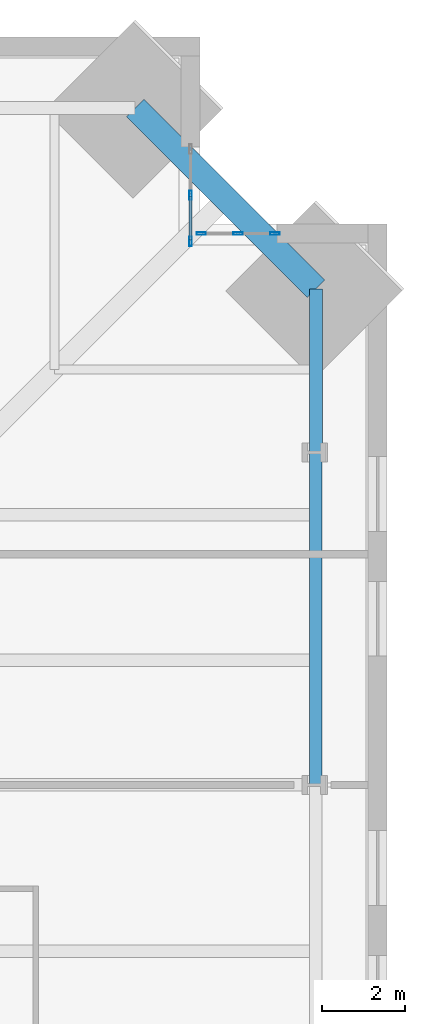
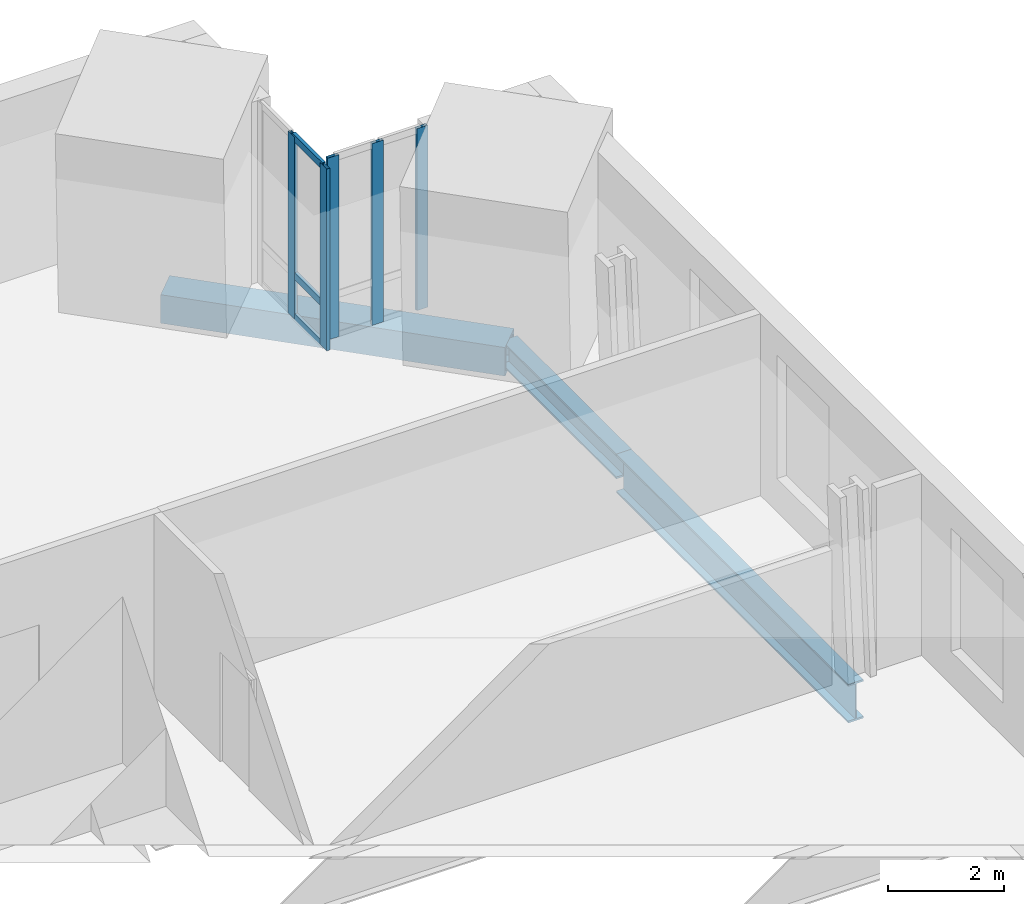
# One storey, part 10 of 18: 8 members, 3 beams, 2 elements without a shape of their own.
"""IFC4 building model written with IfcOpenShell, lengths in metres."""

from ifc_helpers import new_model, si_unit, direction, frame, origin, origin_2d, place, context, subcontext, project, spatial, hollow_rectangle, i_section, extrude, material, material_profile, profile_set, type_object, element, aggregate, save


model = new_model("IFC4")

# Units and contexts
model_context = context("Model", 3, precision=1e-05, world=origin(), true_north=direction((0.0, 1.0)))
body_context = subcontext(model_context, "Body", "Model", "MODEL_VIEW")
ifc_project = project(units=[si_unit("LENGTHUNIT", "METRE"), si_unit("AREAUNIT", "SQUARE_METRE"), si_unit("VOLUMEUNIT", "CUBIC_METRE"), si_unit("PLANEANGLEUNIT", "RADIAN"), si_unit("MASSUNIT", "GRAM", prefix="KILO")], contexts=[model_context])

# Site, building, storey
site_placement = place(None, origin())
site = spatial("IfcSite", under=ifc_project, at=site_placement, CompositionType="ELEMENT")
building_placement = place(site_placement, origin())
building = spatial("IfcBuilding", under=site, at=building_placement, Name="Peilmerk Tower", CompositionType="ELEMENT")
storey_placement = place(building_placement, frame((0.0, 0.0, 163.800048828125)))
storey = spatial("IfcBuildingStorey", under=building, at=storey_placement, Name="L34", CompositionType="ELEMENT", Elevation=163.800048828125)

# Beams
ifc_material_1 = material(Name="Steel S355", Category="steel")
ifc_material_profile_1 = material_profile(ifc_material_1, i_section(OverallWidth=0.302978515625, OverallDepth=0.81396484375, WebThickness=0.02099609375, FlangeThickness=0.0400390625, at=origin_2d()), Name="HEM 800")
ifc_profile_set_1 = profile_set([ifc_material_profile_1], Name="Steel S355")
beam_type_1 = type_object("IfcBeamType", Name="B15 HEM 800 edge beam", PredefinedType="SPANDREL", material=ifc_profile_set_1)
beam_1_placement = place(storey_placement, frame((24.2919921875, 8.0, -0.5771484375), z_axis=(0.0, 1.0, 0.0), x_axis=(-1.0, 0.0, 0.0)))
element("IfcBeam", 1, at=beam_1_placement, inside=storey, type_object=beam_type_1, Name="Edge beam L34", PredefinedType="SPANDREL", context=body_context, shape_type="SweptSolid", body=[
    extrude(i_section(OverallWidth=0.302978515625, OverallDepth=0.81396484375, WebThickness=0.02099609375, FlangeThickness=0.0400390625, at=origin_2d()), origin(), (0.0, 0.0, 1.0), 8.0),
])
ifc_material_2 = material(Name="Steel S460", Category="steel")
ifc_material_profile_2 = material_profile(ifc_material_2, hollow_rectangle(XDim=0.60009765625, YDim=0.60009765625, WallThickness=0.06005859375, at=origin_2d()), Name="BOX 600x600x60")
ifc_profile_set_2 = profile_set([ifc_material_profile_2], Name="Steel S460")
beam_type_2 = type_object("IfcBeamType", Name="B20 BOX 600x600x60 notch beam", PredefinedType="SPANDREL", material=ifc_profile_set_2)
beam_2_placement = place(storey_placement, frame((19.94189453125, 24.2919921875, -0.469970703125), z_axis=(0.707106781187, -0.707106781187, 0.0), x_axis=(0.707106781187, 0.707106781187, 0.0)))
element("IfcBeam", 2, at=beam_2_placement, inside=storey, type_object=beam_type_2, Name="Notch beam L34", PredefinedType="SPANDREL", context=body_context, shape_type="SweptSolid", body=[
    extrude(hollow_rectangle(XDim=0.60009765625, YDim=0.60009765625, WallThickness=0.06005859375, at=origin_2d()), origin(), (0.0, 0.0, 1.0), 6.15185546875),
])
ifc_material_profile_3 = material_profile(ifc_material_1, i_section(OverallWidth=0.305908203125, OverallDepth=0.52392578125, WebThickness=0.02099609375, FlangeThickness=0.0400390625, at=origin_2d()), Name="HEM 500")
ifc_profile_set_3 = profile_set([ifc_material_profile_3], Name="Steel S355")
beam_type_3 = type_object("IfcBeamType", Name="B33 HEM 500 edge beam", PredefinedType="SPANDREL", material=ifc_profile_set_3)
beam_3_placement = place(storey_placement, frame((24.2919921875, 16.0, -0.43212890625), z_axis=(0.0, 1.0, 0.0), x_axis=(-1.0, 0.0, 0.0)))
element("IfcBeam", 3, at=beam_3_placement, inside=storey, type_object=beam_type_3, Name="Edge beam L34", PredefinedType="SPANDREL", context=body_context, shape_type="SweptSolid", body=[
    extrude(i_section(OverallWidth=0.305908203125, OverallDepth=0.52392578125, WebThickness=0.02099609375, FlangeThickness=0.0400390625, at=origin_2d()), origin(), (0.0, 0.0, 1.0), 3.94189453125),
])

# Curtain wall, members
ifc_material_3 = material(Name="Aluminium stick curtain wall", Category="aluminium")
curtain_wall_type = type_object("IfcCurtainWallType", Name="CW3 stick curtain wall, 2250 module", PredefinedType="NOTDEFINED", material=ifc_material_3)
curtain_wall_1_placement = place(storey_placement, origin())
curtain_wall_1 = element("IfcCurtainWall", 4, at=curtain_wall_1_placement, inside=storey, type_object=curtain_wall_type, Name="Curtain wall CW3 NEA L34", PredefinedType="NOTDEFINED")
ifc_material_4 = material(Name="Aluminium EN AW-6063 T6", Category="aluminium")
ifc_material_profile_4 = material_profile(ifc_material_4, hollow_rectangle(XDim=0.06494140625, YDim=0.22509765625, WallThickness=0.00390625, at=origin_2d()), Name="AL 225x65x4")
ifc_profile_set_4 = profile_set([ifc_material_profile_4], Name="Aluminium EN AW-6063 T6")
member_type_1 = type_object("IfcMemberType", Name="CW3-M AL 225x65x4 mullion", PredefinedType="MULLION", material=ifc_profile_set_4)
member_1_placement = place(storey_placement, frame((21.27490234375, 21.08251953125, 0.0), z_axis=(0.0, 0.0, 1.0), x_axis=(-1.0, 0.0, 0.0)))
member_1 = element("IfcMember", 5, at=member_1_placement, type_object=member_type_1, Name="CW3 mullion 1", PredefinedType="MULLION", context=body_context, shape_type="SweptSolid", body=[
    extrude(hollow_rectangle(XDim=0.06494140625, YDim=0.22509765625, WallThickness=0.00390625, at=origin_2d()), origin(), (0.0, 0.0, 1.0), 3.829833984375),
])
member_2_placement = place(storey_placement, frame((21.27490234375, 22.1943359375, 0.0), z_axis=(0.0, 0.0, 1.0), x_axis=(-1.0, 0.0, 0.0)))
member_2 = element("IfcMember", 6, at=member_2_placement, type_object=member_type_1, Name="CW3 mullion 2", PredefinedType="MULLION", context=body_context, shape_type="SweptSolid", body=[
    extrude(hollow_rectangle(XDim=0.06494140625, YDim=0.22509765625, WallThickness=0.00390625, at=origin_2d()), origin(), (0.0, 0.0, 1.0), 3.829833984375),
])

curtain_wall_2_placement = place(storey_placement, origin())
curtain_wall_2 = element("IfcCurtainWall", 7, at=curtain_wall_2_placement, inside=storey, type_object=curtain_wall_type, Name="Curtain wall CW3 NEB L34", PredefinedType="NOTDEFINED")
member_3_placement = place(storey_placement, frame((21.532470703125, 21.27490234375, 0.0), z_axis=(0.0, 0.0, 1.0), x_axis=(0.0, 1.0, 0.0)))
member_3 = element("IfcMember", 8, at=member_3_placement, type_object=member_type_1, Name="CW3 mullion 1", PredefinedType="MULLION", context=body_context, shape_type="SweptSolid", body=[
    extrude(hollow_rectangle(XDim=0.06494140625, YDim=0.22509765625, WallThickness=0.00390625, at=origin_2d()), origin(), (0.0, 0.0, 1.0), 3.829833984375),
])
member_4_placement = place(storey_placement, frame((22.41943359375, 21.27490234375, 0.0), z_axis=(0.0, 0.0, 1.0), x_axis=(0.0, 1.0, 0.0)))
member_4 = element("IfcMember", 9, at=member_4_placement, type_object=member_type_1, Name="CW3 mullion 2", PredefinedType="MULLION", context=body_context, shape_type="SweptSolid", body=[
    extrude(hollow_rectangle(XDim=0.06494140625, YDim=0.22509765625, WallThickness=0.00390625, at=origin_2d()), origin(), (0.0, 0.0, 1.0), 3.829833984375),
])
member_5_placement = place(storey_placement, frame((23.30615234375, 21.27490234375, 0.0), z_axis=(0.0, 0.0, 1.0), x_axis=(0.0, 1.0, 0.0)))
member_5 = element("IfcMember", 10, at=member_5_placement, type_object=member_type_1, Name="CW3 mullion 3", PredefinedType="MULLION", context=body_context, shape_type="SweptSolid", body=[
    extrude(hollow_rectangle(XDim=0.06494140625, YDim=0.22509765625, WallThickness=0.00390625, at=origin_2d()), origin(), (0.0, 0.0, 1.0), 3.829833984375),
])
aggregate(curtain_wall_2, [member_3, member_4, member_5])

# Member
ifc_material_profile_5 = material_profile(ifc_material_4, hollow_rectangle(XDim=0.06494140625, YDim=0.14990234375, WallThickness=0.0029296875, at=origin_2d()), Name="AL 150x65x3")
ifc_profile_set_5 = profile_set([ifc_material_profile_5], Name="Aluminium EN AW-6063 T6")
member_type_2 = type_object("IfcMemberType", Name="CW3-T AL 150x65x3 transom", PredefinedType="USERDEFINED", material=ifc_profile_set_5)
member_6_placement = place(storey_placement, frame((21.27490234375, 21.114990234375, 0.032470703125), z_axis=(0.0, 1.0, 0.0), x_axis=(-1.0, 0.0, 0.0)))
member_6 = element("IfcMember", 11, at=member_6_placement, type_object=member_type_2, Name="CW3 transom 1.1", ObjectType="TRANSOM", PredefinedType="USERDEFINED", context=body_context, shape_type="SweptSolid", body=[
    extrude(hollow_rectangle(XDim=0.06494140625, YDim=0.14990234375, WallThickness=0.0029296875, at=origin_2d()), origin(), (0.0, 0.0, 1.0), 1.046875),
])

member_7_placement = place(storey_placement, frame((21.27490234375, 21.114990234375, 0.89990234375), z_axis=(0.0, 1.0, 0.0), x_axis=(-1.0, 0.0, 0.0)))
member_7 = element("IfcMember", 12, at=member_7_placement, type_object=member_type_2, Name="CW3 transom 1.2", ObjectType="TRANSOM", PredefinedType="USERDEFINED", context=body_context, shape_type="SweptSolid", body=[
    extrude(hollow_rectangle(XDim=0.06494140625, YDim=0.14990234375, WallThickness=0.0029296875, at=origin_2d()), origin(), (0.0, 0.0, 1.0), 1.046875),
])

member_8_placement = place(storey_placement, frame((21.27490234375, 21.114990234375, 3.79736328125), z_axis=(0.0, 1.0, 0.0), x_axis=(-1.0, 0.0, 0.0)))
member_8 = element("IfcMember", 13, at=member_8_placement, type_object=member_type_2, Name="CW3 transom 1.3", ObjectType="TRANSOM", PredefinedType="USERDEFINED", context=body_context, shape_type="SweptSolid", body=[
    extrude(hollow_rectangle(XDim=0.06494140625, YDim=0.14990234375, WallThickness=0.0029296875, at=origin_2d()), origin(), (0.0, 0.0, 1.0), 1.046875),
])

aggregate(curtain_wall_1, [member_1, member_2, member_6, member_7, member_8])

save(model, "model.ifc")
